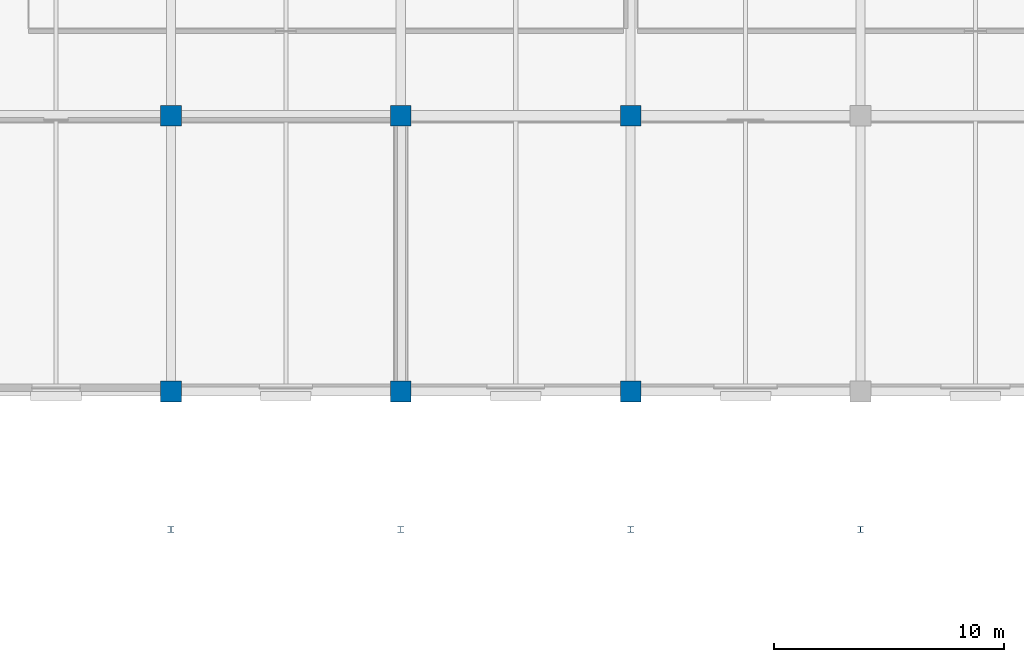
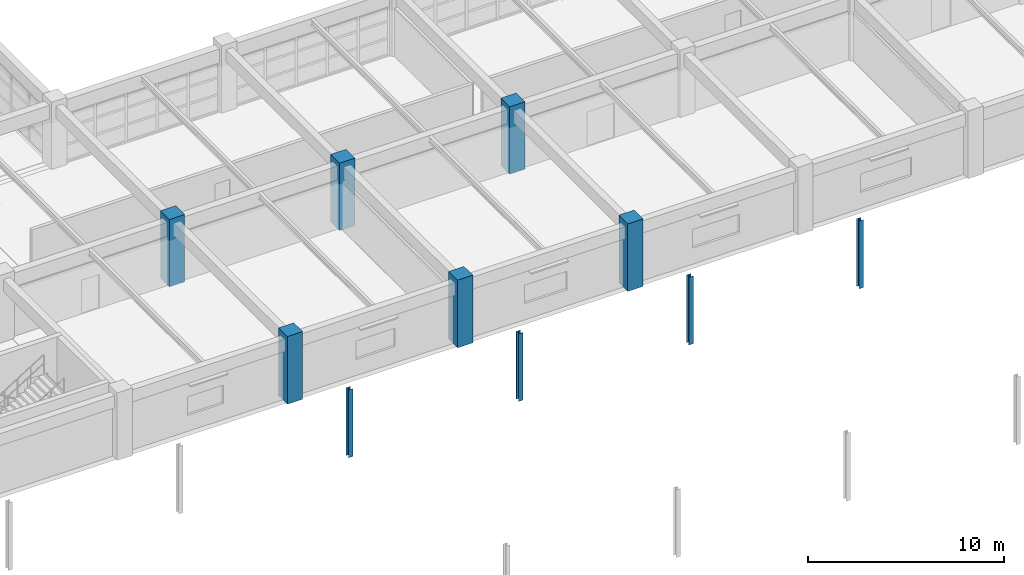
# One storey, part 18 of 100: 10 columns.
"""IFC4 building model written with IfcOpenShell, lengths in metres."""

from ifc_helpers import new_model, si_unit, direction, frame, origin, origin_2d, place, context, subcontext, project, spatial, rectangle, i_section, extrude, material, material_profile, profile_set, type_object, element, save


model = new_model("IFC4")

# Units and contexts
model_context = context("Model", 3, precision=1e-05, world=origin(), true_north=direction((0.0, 1.0)))
body_context = subcontext(model_context, "Body", "Model", "MODEL_VIEW")
ifc_project = project(units=[si_unit("LENGTHUNIT", "METRE"), si_unit("AREAUNIT", "SQUARE_METRE"), si_unit("VOLUMEUNIT", "CUBIC_METRE"), si_unit("PLANEANGLEUNIT", "RADIAN"), si_unit("MASSUNIT", "GRAM", prefix="KILO")], contexts=[model_context])

# Site, building, storey
site_placement = place(None, origin())
site = spatial("IfcSite", under=ifc_project, at=site_placement, CompositionType="ELEMENT")
building_placement = place(site_placement, origin())
building = spatial("IfcBuilding", under=site, at=building_placement, Name="Kivolera Central Railway Station", CompositionType="ELEMENT")
storey_placement = place(building_placement, frame((0.0, 0.0, 5.39990234375)))
storey = spatial("IfcBuildingStorey", under=building, at=storey_placement, Name="L01", CompositionType="ELEMENT", Elevation=5.39990234375)

# Columns
ifc_material_1 = material(Name="Concrete C40/50", Category="concrete")
ifc_material_profile_1 = material_profile(ifc_material_1, rectangle(XDim=0.89990234375, YDim=0.89990234375, at=origin_2d()), Name="RC 900x900")
ifc_profile_set_1 = profile_set([ifc_material_profile_1], Name="Concrete C40/50")
column_type_1 = type_object("IfcColumnType", Name="COL-RC-900", PredefinedType="COLUMN", material=ifc_profile_set_1)
for number, where, z_axis, x_axis, name in (
    (1, (138.0, 54.0, 0.0), (0.0, 0.0, 1.0), (1.0, 0.0, 0.0), "L01 Wing Column 14-E"),
    (2, (138.0, 66.0, 0.0), (0.0, 0.0, 1.0), (1.0, 0.0, 0.0), "L01 Wing Column 14-F"),
    (3, (148.0, 54.0, 0.0), (0.0, 0.0, 1.0), (1.0, 0.0, 0.0), "L01 Wing Column 15-E"),
    (4, (148.0, 66.0, 0.0), (0.0, 0.0, 1.0), (1.0, 0.0, 0.0), "L01 Wing Column 15-F"),
    (5, (158.0, 54.0, 0.0), (0.0, 0.0, 1.0), (1.0, 0.0, 0.0), "L01 Wing Column 16-E"),
    (6, (158.0, 66.0, 0.0), (0.0, 0.0, 1.0), (1.0, 0.0, 0.0), "L01 Wing Column 16-F"),
):
    element("IfcColumn", number, at=place(storey_placement, frame(where, z_axis=z_axis, x_axis=x_axis)), inside=storey, type_object=column_type_1, Name=name, PredefinedType="COLUMN", context=body_context, shape_type="SweptSolid", body=[
        extrude(rectangle(XDim=0.89990234375, YDim=0.89990234375, at=origin_2d()), origin(), (0.0, 0.0, 1.0), 4.2001953125),
    ])
ifc_material_2 = material(Name="Steel S355", Category="steel")
ifc_material_profile_2 = material_profile(ifc_material_2, i_section(OverallWidth=0.25634765625, OverallDepth=0.26025390625, WebThickness=0.01025390625, FlangeThickness=0.017333984375, FilletRadius=0.0126953125, at=origin_2d()), Name="UC 254x254x89")
ifc_profile_set_2 = profile_set([ifc_material_profile_2], Name="Steel S355")
column_type_2 = type_object("IfcColumnType", Name="COL-STL-UC254", PredefinedType="COLUMN", material=ifc_profile_set_2)
for number, where, z_axis, x_axis, name in (
    (7, (138.0, 48.0, 0.0), (0.0, 0.0, 1.0), (1.0, 0.0, 0.0), "L01 Train Shed Column 14-D"),
    (8, (148.0, 48.0, 0.0), (0.0, 0.0, 1.0), (1.0, 0.0, 0.0), "L01 Train Shed Column 15-D"),
    (9, (158.0, 48.0, 0.0), (0.0, 0.0, 1.0), (1.0, 0.0, 0.0), "L01 Train Shed Column 16-D"),
    (10, (168.0, 48.0, 0.0), (0.0, 0.0, 1.0), (1.0, 0.0, 0.0), "L01 Train Shed Column 17-D"),
):
    element("IfcColumn", number, at=place(storey_placement, frame(where, z_axis=z_axis, x_axis=x_axis)), inside=storey, type_object=column_type_2, Name=name, PredefinedType="COLUMN", context=body_context, shape_type="SweptSolid", body=[
        extrude(i_section(OverallWidth=0.25634765625, OverallDepth=0.26025390625, WebThickness=0.01025390625, FlangeThickness=0.017333984375, FilletRadius=0.0126953125, at=origin_2d()), origin(), (0.0, 0.0, 1.0), 4.2001953125),
    ])

save(model, "model.ifc")
